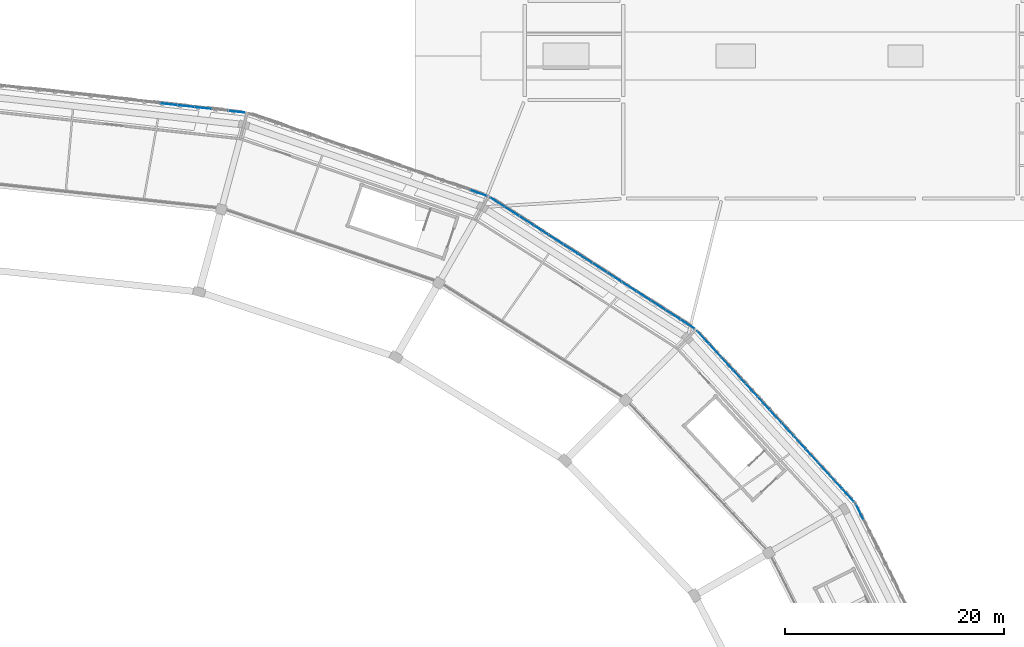
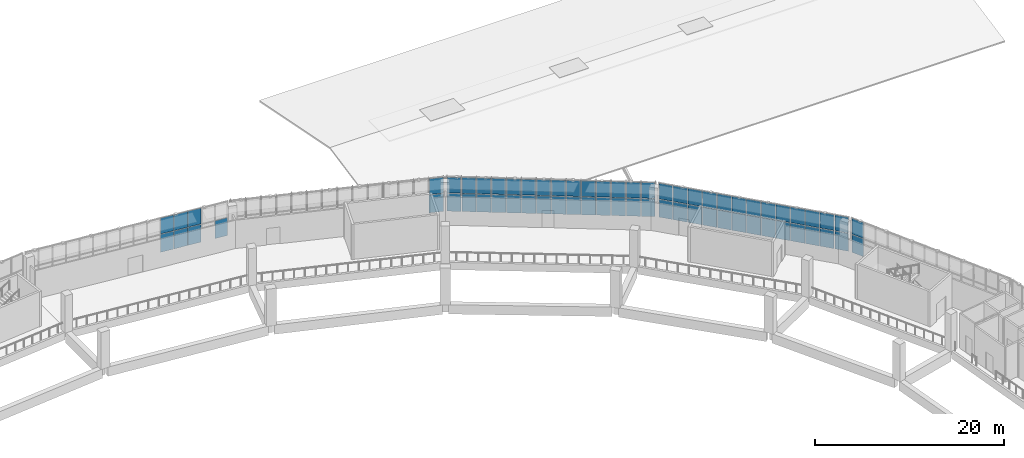
# One storey, part 64 of 108: 65 plates, 5 elements without a shape of their own.
"""IFC4 building model written with IfcOpenShell, lengths in metres."""

from ifc_helpers import new_model, si_unit, direction, frame, origin, origin_2d, place, context, subcontext, project, spatial, rectangle, extrude, material, layer, layer_set, type_object, element, aggregate, save


model = new_model("IFC4")

# Units and contexts
model_context = context("Model", 3, precision=1e-05, world=origin(), true_north=direction((0.0, 1.0)))
body_context = subcontext(model_context, "Body", "Model", "MODEL_VIEW")
ifc_project = project(units=[si_unit("LENGTHUNIT", "METRE"), si_unit("AREAUNIT", "SQUARE_METRE"), si_unit("VOLUMEUNIT", "CUBIC_METRE"), si_unit("PLANEANGLEUNIT", "RADIAN"), si_unit("MASSUNIT", "GRAM", prefix="KILO")], contexts=[model_context])

# Site, building, storey
site_placement = place(None, origin())
site = spatial("IfcSite", under=ifc_project, at=site_placement, CompositionType="ELEMENT")
building_placement = place(site_placement, origin())
building = spatial("IfcBuilding", under=site, at=building_placement, Name="Zevraka Park Crest Stadium", CompositionType="ELEMENT")
storey_placement = place(building_placement, frame((0.0, 0.0, 19.800048828125)))
storey = spatial("IfcBuildingStorey", under=building, at=storey_placement, Name="L04", CompositionType="ELEMENT", Elevation=19.800048828125)

# Curtain wall, plates
ifc_material_1 = material(Name="Anodised architectural aluminium and laminated safety glass", Category="aluminium")
curtain_wall_type_1 = type_object("IfcCurtainWallType", Name="CW16", PredefinedType="NOTDEFINED", material=ifc_material_1)
curtain_wall_1_placement = place(storey_placement, origin())
curtain_wall_1 = element("IfcCurtainWall", 1, at=curtain_wall_1_placement, inside=storey, type_object=curtain_wall_type_1, Name="Unitised Ring Curtain Wall CW16 L04-05", PredefinedType="NOTDEFINED")
ifc_material_2 = material(Name="Solar-control laminated double glazing", Category="glass")
ifc_layer_1 = layer(ifc_material_2, 0.031982421875)
ifc_layer_set_1 = layer_set([ifc_layer_1], Name="Solar-control laminated double glazing")
plate_type_1 = type_object("IfcPlateType", Name="CP16", PredefinedType="CURTAIN_PANEL", material=ifc_layer_set_1)
plate_1_placement = place(storey_placement, frame((134.739013671875, 165.91650390625, 0.059814453125), z_axis=(0.0, 0.0, 1.0), x_axis=(-0.993997152844, 0.109405941967, 0.0)))
plate_1 = element("IfcPlate", 2, at=plate_1_placement, type_object=plate_type_1, Name="CW16 panel 1.1", PredefinedType="CURTAIN_PANEL", context=body_context, shape_type="SweptSolid", body=[
    extrude(rectangle(XDim=1.479736328125, YDim=0.031982421875, at=origin_2d()), origin(), (0.0, 0.0, 1.0), 2.31005859375),
])
plate_2_placement = place(storey_placement, frame((131.63330078125, 166.25830078125, 0.059814453125), z_axis=(0.0, 0.0, 1.0), x_axis=(-0.993997152844, 0.109405941967, 0.0)))
plate_2 = element("IfcPlate", 3, at=plate_2_placement, type_object=plate_type_1, Name="CW16 panel 3.1", PredefinedType="CURTAIN_PANEL", context=body_context, shape_type="SweptSolid", body=[
    extrude(rectangle(XDim=1.509765625, YDim=0.031982421875, at=origin_2d()), origin(), (0.0, 0.0, 1.0), 2.31005859375),
])
plate_3_placement = place(storey_placement, frame((131.63330078125, 166.25830078125, 2.4296875), z_axis=(0.0, 0.0, 1.0), x_axis=(-0.993997152844, 0.109405941967, 0.0)))
plate_3 = element("IfcPlate", 4, at=plate_3_placement, type_object=plate_type_1, Name="CW16 panel 3.2", PredefinedType="CURTAIN_PANEL", context=body_context, shape_type="SweptSolid", body=[
    extrude(rectangle(XDim=1.509765625, YDim=0.031982421875, at=origin_2d()), origin(), (0.0, 0.0, 1.0), 2.050048828125),
])
plate_4_placement = place(storey_placement, frame((130.072998046875, 166.43017578125, 0.059814453125), z_axis=(0.0, 0.0, 1.0), x_axis=(-0.993997152844, 0.109405941967, 0.0)))
plate_4 = element("IfcPlate", 5, at=plate_4_placement, type_object=plate_type_1, Name="CW16 panel 4.1", PredefinedType="CURTAIN_PANEL", context=body_context, shape_type="SweptSolid", body=[
    extrude(rectangle(XDim=1.509765625, YDim=0.031982421875, at=origin_2d()), origin(), (0.0, 0.0, 1.0), 2.31005859375),
])
plate_5_placement = place(storey_placement, frame((130.072998046875, 166.43017578125, 2.4296875), z_axis=(0.0, 0.0, 1.0), x_axis=(-0.993997152844, 0.109405941967, 0.0)))
plate_5 = element("IfcPlate", 6, at=plate_5_placement, type_object=plate_type_1, Name="CW16 panel 4.2", PredefinedType="CURTAIN_PANEL", context=body_context, shape_type="SweptSolid", body=[
    extrude(rectangle(XDim=1.509765625, YDim=0.031982421875, at=origin_2d()), origin(), (0.0, 0.0, 1.0), 2.050048828125),
])
plate_6_placement = place(storey_placement, frame((128.5126953125, 166.601806640625, 0.059814453125), z_axis=(0.0, 0.0, 1.0), x_axis=(-0.993997152844, 0.109405941967, 0.0)))
plate_6 = element("IfcPlate", 7, at=plate_6_placement, type_object=plate_type_1, Name="CW16 panel 5.1", PredefinedType="CURTAIN_PANEL", context=body_context, shape_type="SweptSolid", body=[
    extrude(rectangle(XDim=1.509765625, YDim=0.031982421875, at=origin_2d()), origin(), (0.0, 0.0, 1.0), 2.31005859375),
])
plate_7_placement = place(storey_placement, frame((128.5126953125, 166.601806640625, 2.4296875), z_axis=(0.0, 0.0, 1.0), x_axis=(-0.993997152844, 0.109405941967, 0.0)))
plate_7 = element("IfcPlate", 8, at=plate_7_placement, type_object=plate_type_1, Name="CW16 panel 5.2", PredefinedType="CURTAIN_PANEL", context=body_context, shape_type="SweptSolid", body=[
    extrude(rectangle(XDim=1.509765625, YDim=0.031982421875, at=origin_2d()), origin(), (0.0, 0.0, 1.0), 2.050048828125),
])
aggregate(curtain_wall_1, [plate_1, plate_2, plate_3, plate_4, plate_5, plate_6, plate_7])

ifc_material_3 = material(Name="Anodised architectural aluminium and laminated safety glass", Category="aluminium")
curtain_wall_type_2 = type_object("IfcCurtainWallType", Name="CW17", PredefinedType="NOTDEFINED", material=ifc_material_3)
curtain_wall_2_placement = place(storey_placement, origin())
curtain_wall_2 = element("IfcCurtainWall", 9, at=curtain_wall_2_placement, inside=storey, type_object=curtain_wall_type_2, Name="Unitised Ring Curtain Wall CW17 L04-01", PredefinedType="NOTDEFINED")
ifc_material_4 = material(Name="Solar-control laminated double glazing", Category="glass")
ifc_layer_2 = layer(ifc_material_4, 0.031982421875)
ifc_layer_set_2 = layer_set([ifc_layer_2], Name="Solar-control laminated double glazing")
plate_type_2 = type_object("IfcPlateType", Name="CP17", PredefinedType="CURTAIN_PANEL", material=ifc_layer_set_2)
plate_8_placement = place(storey_placement, frame((191.5849609375, 129.37451171875, 0.06494140625), z_axis=(0.0, 0.0, 1.0), x_axis=(-0.443961067545, 0.896046076106, 0.0)))
plate_8 = element("IfcPlate", 10, at=plate_8_placement, type_object=plate_type_2, Name="CW17 panel 13.1", PredefinedType="CURTAIN_PANEL", context=body_context, shape_type="SweptSolid", body=[
    extrude(rectangle(XDim=1.46484375, YDim=0.031982421875, at=origin_2d()), origin(), (0.0, 0.0, 1.0), 2.302490234375),
])
plate_9_placement = place(storey_placement, frame((191.5849609375, 129.37451171875, 2.432373046875), z_axis=(0.0, 0.0, 1.0), x_axis=(-0.443961067545, 0.896046076106, 0.0)))
plate_9 = element("IfcPlate", 11, at=plate_9_placement, type_object=plate_type_2, Name="CW17 panel 13.2", PredefinedType="CURTAIN_PANEL", context=body_context, shape_type="SweptSolid", body=[
    extrude(rectangle(XDim=1.46484375, YDim=0.031982421875, at=origin_2d()), origin(), (0.0, 0.0, 1.0), 2.04248046875),
])
aggregate(curtain_wall_2, [plate_8, plate_9])

curtain_wall_3_placement = place(storey_placement, origin())
curtain_wall_3 = element("IfcCurtainWall", 12, at=curtain_wall_3_placement, inside=storey, type_object=curtain_wall_type_2, Name="Unitised Ring Curtain Wall CW17 L04-04", PredefinedType="NOTDEFINED")
plate_10_placement = place(storey_placement, frame((156.7978515625, 158.49609375, 0.06494140625), z_axis=(0.0, 0.0, 1.0), x_axis=(-0.944939691816, 0.327244524523, 0.0)))
plate_10 = element("IfcPlate", 13, at=plate_10_placement, type_object=plate_type_2, Name="CW17 panel 1.1", PredefinedType="CURTAIN_PANEL", context=body_context, shape_type="SweptSolid", body=[
    extrude(rectangle(XDim=1.55078125, YDim=0.031982421875, at=origin_2d()), origin(), (0.0, 0.0, 1.0), 2.302490234375),
])
plate_11_placement = place(storey_placement, frame((156.7978515625, 158.49609375, 2.432373046875), z_axis=(0.0, 0.0, 1.0), x_axis=(-0.944939691816, 0.327244524523, 0.0)))
plate_11 = element("IfcPlate", 14, at=plate_11_placement, type_object=plate_type_2, Name="CW17 panel 1.2", PredefinedType="CURTAIN_PANEL", context=body_context, shape_type="SweptSolid", body=[
    extrude(rectangle(XDim=1.55078125, YDim=0.031982421875, at=origin_2d()), origin(), (0.0, 0.0, 1.0), 2.04248046875),
])
aggregate(curtain_wall_3, [plate_10, plate_11])

ifc_material_5 = material(Name="Anodised architectural aluminium and laminated safety glass", Category="aluminium")
curtain_wall_type_3 = type_object("IfcCurtainWallType", Name="CW18", PredefinedType="NOTDEFINED", material=ifc_material_5)
curtain_wall_4_placement = place(storey_placement, origin())
curtain_wall_4 = element("IfcCurtainWall", 15, at=curtain_wall_4_placement, inside=storey, type_object=curtain_wall_type_3, Name="Unitised Ring Curtain Wall CW18 L04-02", PredefinedType="NOTDEFINED")
ifc_material_6 = material(Name="Solar-control laminated double glazing", Category="glass")
ifc_layer_3 = layer(ifc_material_6, 0.031982421875)
ifc_layer_set_3 = layer_set([ifc_layer_3], Name="Solar-control laminated double glazing")
plate_type_3 = type_object("IfcPlateType", Name="CP18", PredefinedType="CURTAIN_PANEL", material=ifc_layer_set_3)
plate_12_placement = place(storey_placement, frame((190.523193359375, 130.913330078125, 0.070068359375), z_axis=(0.0, 0.0, 1.0), x_axis=(-0.676138417355, 0.736774619932, 0.0)))
plate_12 = element("IfcPlate", 16, at=plate_12_placement, type_object=plate_type_3, Name="CW18 panel 1.1", PredefinedType="CURTAIN_PANEL", context=body_context, shape_type="SweptSolid", body=[
    extrude(rectangle(XDim=1.527587890625, YDim=0.031982421875, at=origin_2d()), origin(), (0.0, 0.0, 1.0), 2.294921875),
])
plate_13_placement = place(storey_placement, frame((190.523193359375, 130.913330078125, 2.43505859375), z_axis=(0.0, 0.0, 1.0), x_axis=(-0.676138417355, 0.736774619932, 0.0)))
plate_13 = element("IfcPlate", 17, at=plate_13_placement, type_object=plate_type_3, Name="CW18 panel 1.2", PredefinedType="CURTAIN_PANEL", context=body_context, shape_type="SweptSolid", body=[
    extrude(rectangle(XDim=1.527587890625, YDim=0.031982421875, at=origin_2d()), origin(), (0.0, 0.0, 1.0), 2.034912109375),
])
plate_14_placement = place(storey_placement, frame((189.43115234375, 132.103271484375, 0.070068359375), z_axis=(0.0, 0.0, 1.0), x_axis=(-0.676138417355, 0.736774619932, 0.0)))
plate_14 = element("IfcPlate", 18, at=plate_14_placement, type_object=plate_type_3, Name="CW18 panel 2.1", PredefinedType="CURTAIN_PANEL", context=body_context, shape_type="SweptSolid", body=[
    extrude(rectangle(XDim=1.562744140625, YDim=0.031982421875, at=origin_2d()), origin(), (0.0, 0.0, 1.0), 2.294921875),
])
plate_15_placement = place(storey_placement, frame((189.43115234375, 132.103271484375, 2.43505859375), z_axis=(0.0, 0.0, 1.0), x_axis=(-0.676138417355, 0.736774619932, 0.0)))
plate_15 = element("IfcPlate", 19, at=plate_15_placement, type_object=plate_type_3, Name="CW18 panel 2.2", PredefinedType="CURTAIN_PANEL", context=body_context, shape_type="SweptSolid", body=[
    extrude(rectangle(XDim=1.562744140625, YDim=0.031982421875, at=origin_2d()), origin(), (0.0, 0.0, 1.0), 2.034912109375),
])
plate_16_placement = place(storey_placement, frame((188.3271484375, 133.306396484375, 0.070068359375), z_axis=(0.0, 0.0, 1.0), x_axis=(-0.676138417355, 0.736774619932, 0.0)))
plate_16 = element("IfcPlate", 20, at=plate_16_placement, type_object=plate_type_3, Name="CW18 panel 3.1", PredefinedType="CURTAIN_PANEL", context=body_context, shape_type="SweptSolid", body=[
    extrude(rectangle(XDim=1.562744140625, YDim=0.031982421875, at=origin_2d()), origin(), (0.0, 0.0, 1.0), 2.294921875),
])
plate_17_placement = place(storey_placement, frame((188.3271484375, 133.306396484375, 2.43505859375), z_axis=(0.0, 0.0, 1.0), x_axis=(-0.676138417355, 0.736774619932, 0.0)))
plate_17 = element("IfcPlate", 21, at=plate_17_placement, type_object=plate_type_3, Name="CW18 panel 3.2", PredefinedType="CURTAIN_PANEL", context=body_context, shape_type="SweptSolid", body=[
    extrude(rectangle(XDim=1.562744140625, YDim=0.031982421875, at=origin_2d()), origin(), (0.0, 0.0, 1.0), 2.034912109375),
])
plate_18_placement = place(storey_placement, frame((187.223388671875, 134.50927734375, 0.070068359375), z_axis=(0.0, 0.0, 1.0), x_axis=(-0.676138417355, 0.736774619932, 0.0)))
plate_18 = element("IfcPlate", 22, at=plate_18_placement, type_object=plate_type_3, Name="CW18 panel 4.1", PredefinedType="CURTAIN_PANEL", context=body_context, shape_type="SweptSolid", body=[
    extrude(rectangle(XDim=1.562744140625, YDim=0.031982421875, at=origin_2d()), origin(), (0.0, 0.0, 1.0), 2.294921875),
])
plate_19_placement = place(storey_placement, frame((187.223388671875, 134.50927734375, 2.43505859375), z_axis=(0.0, 0.0, 1.0), x_axis=(-0.676138417355, 0.736774619932, 0.0)))
plate_19 = element("IfcPlate", 23, at=plate_19_placement, type_object=plate_type_3, Name="CW18 panel 4.2", PredefinedType="CURTAIN_PANEL", context=body_context, shape_type="SweptSolid", body=[
    extrude(rectangle(XDim=1.562744140625, YDim=0.031982421875, at=origin_2d()), origin(), (0.0, 0.0, 1.0), 2.034912109375),
])
plate_20_placement = place(storey_placement, frame((186.119384765625, 135.712158203125, 0.070068359375), z_axis=(0.0, 0.0, 1.0), x_axis=(-0.676138417355, 0.736774619932, 0.0)))
plate_20 = element("IfcPlate", 24, at=plate_20_placement, type_object=plate_type_3, Name="CW18 panel 5.1", PredefinedType="CURTAIN_PANEL", context=body_context, shape_type="SweptSolid", body=[
    extrude(rectangle(XDim=1.562744140625, YDim=0.031982421875, at=origin_2d()), origin(), (0.0, 0.0, 1.0), 2.294921875),
])
plate_21_placement = place(storey_placement, frame((186.119384765625, 135.712158203125, 2.43505859375), z_axis=(0.0, 0.0, 1.0), x_axis=(-0.676138417355, 0.736774619932, 0.0)))
plate_21 = element("IfcPlate", 25, at=plate_21_placement, type_object=plate_type_3, Name="CW18 panel 5.2", PredefinedType="CURTAIN_PANEL", context=body_context, shape_type="SweptSolid", body=[
    extrude(rectangle(XDim=1.562744140625, YDim=0.031982421875, at=origin_2d()), origin(), (0.0, 0.0, 1.0), 2.034912109375),
])
plate_22_placement = place(storey_placement, frame((185.015380859375, 136.9150390625, 0.070068359375), z_axis=(0.0, 0.0, 1.0), x_axis=(-0.676138417355, 0.736774619932, 0.0)))
plate_22 = element("IfcPlate", 26, at=plate_22_placement, type_object=plate_type_3, Name="CW18 panel 6.1", PredefinedType="CURTAIN_PANEL", context=body_context, shape_type="SweptSolid", body=[
    extrude(rectangle(XDim=1.562744140625, YDim=0.031982421875, at=origin_2d()), origin(), (0.0, 0.0, 1.0), 2.294921875),
])
plate_23_placement = place(storey_placement, frame((185.015380859375, 136.9150390625, 2.43505859375), z_axis=(0.0, 0.0, 1.0), x_axis=(-0.676138417355, 0.736774619932, 0.0)))
plate_23 = element("IfcPlate", 27, at=plate_23_placement, type_object=plate_type_3, Name="CW18 panel 6.2", PredefinedType="CURTAIN_PANEL", context=body_context, shape_type="SweptSolid", body=[
    extrude(rectangle(XDim=1.562744140625, YDim=0.031982421875, at=origin_2d()), origin(), (0.0, 0.0, 1.0), 2.034912109375),
])
plate_24_placement = place(storey_placement, frame((183.91162109375, 138.117919921875, 0.070068359375), z_axis=(0.0, 0.0, 1.0), x_axis=(-0.676138417355, 0.736774619932, 0.0)))
plate_24 = element("IfcPlate", 28, at=plate_24_placement, type_object=plate_type_3, Name="CW18 panel 7.1", PredefinedType="CURTAIN_PANEL", context=body_context, shape_type="SweptSolid", body=[
    extrude(rectangle(XDim=1.562744140625, YDim=0.031982421875, at=origin_2d()), origin(), (0.0, 0.0, 1.0), 2.294921875),
])
plate_25_placement = place(storey_placement, frame((183.91162109375, 138.117919921875, 2.43505859375), z_axis=(0.0, 0.0, 1.0), x_axis=(-0.676138417355, 0.736774619932, 0.0)))
plate_25 = element("IfcPlate", 29, at=plate_25_placement, type_object=plate_type_3, Name="CW18 panel 7.2", PredefinedType="CURTAIN_PANEL", context=body_context, shape_type="SweptSolid", body=[
    extrude(rectangle(XDim=1.562744140625, YDim=0.031982421875, at=origin_2d()), origin(), (0.0, 0.0, 1.0), 2.034912109375),
])
plate_26_placement = place(storey_placement, frame((182.8076171875, 139.321044921875, 0.070068359375), z_axis=(0.0, 0.0, 1.0), x_axis=(-0.676138417355, 0.736774619932, 0.0)))
plate_26 = element("IfcPlate", 30, at=plate_26_placement, type_object=plate_type_3, Name="CW18 panel 8.1", PredefinedType="CURTAIN_PANEL", context=body_context, shape_type="SweptSolid", body=[
    extrude(rectangle(XDim=1.562744140625, YDim=0.031982421875, at=origin_2d()), origin(), (0.0, 0.0, 1.0), 2.294921875),
])
plate_27_placement = place(storey_placement, frame((182.8076171875, 139.321044921875, 2.43505859375), z_axis=(0.0, 0.0, 1.0), x_axis=(-0.676138417355, 0.736774619932, 0.0)))
plate_27 = element("IfcPlate", 31, at=plate_27_placement, type_object=plate_type_3, Name="CW18 panel 8.2", PredefinedType="CURTAIN_PANEL", context=body_context, shape_type="SweptSolid", body=[
    extrude(rectangle(XDim=1.562744140625, YDim=0.031982421875, at=origin_2d()), origin(), (0.0, 0.0, 1.0), 2.034912109375),
])
plate_28_placement = place(storey_placement, frame((181.70361328125, 140.52392578125, 0.070068359375), z_axis=(0.0, 0.0, 1.0), x_axis=(-0.676138417355, 0.736774619932, 0.0)))
plate_28 = element("IfcPlate", 32, at=plate_28_placement, type_object=plate_type_3, Name="CW18 panel 9.1", PredefinedType="CURTAIN_PANEL", context=body_context, shape_type="SweptSolid", body=[
    extrude(rectangle(XDim=1.562744140625, YDim=0.031982421875, at=origin_2d()), origin(), (0.0, 0.0, 1.0), 2.294921875),
])
plate_29_placement = place(storey_placement, frame((181.70361328125, 140.52392578125, 2.43505859375), z_axis=(0.0, 0.0, 1.0), x_axis=(-0.676138417355, 0.736774619932, 0.0)))
plate_29 = element("IfcPlate", 33, at=plate_29_placement, type_object=plate_type_3, Name="CW18 panel 9.2", PredefinedType="CURTAIN_PANEL", context=body_context, shape_type="SweptSolid", body=[
    extrude(rectangle(XDim=1.562744140625, YDim=0.031982421875, at=origin_2d()), origin(), (0.0, 0.0, 1.0), 2.034912109375),
])
plate_30_placement = place(storey_placement, frame((180.599609375, 141.726806640625, 0.070068359375), z_axis=(0.0, 0.0, 1.0), x_axis=(-0.676138417355, 0.736774619932, 0.0)))
plate_30 = element("IfcPlate", 34, at=plate_30_placement, type_object=plate_type_3, Name="CW18 panel 10.1", PredefinedType="CURTAIN_PANEL", context=body_context, shape_type="SweptSolid", body=[
    extrude(rectangle(XDim=1.562744140625, YDim=0.031982421875, at=origin_2d()), origin(), (0.0, 0.0, 1.0), 2.294921875),
])
plate_31_placement = place(storey_placement, frame((180.599609375, 141.726806640625, 2.43505859375), z_axis=(0.0, 0.0, 1.0), x_axis=(-0.676138417355, 0.736774619932, 0.0)))
plate_31 = element("IfcPlate", 35, at=plate_31_placement, type_object=plate_type_3, Name="CW18 panel 10.2", PredefinedType="CURTAIN_PANEL", context=body_context, shape_type="SweptSolid", body=[
    extrude(rectangle(XDim=1.562744140625, YDim=0.031982421875, at=origin_2d()), origin(), (0.0, 0.0, 1.0), 2.034912109375),
])
plate_32_placement = place(storey_placement, frame((179.495849609375, 142.9296875, 0.070068359375), z_axis=(0.0, 0.0, 1.0), x_axis=(-0.676138417355, 0.736774619932, 0.0)))
plate_32 = element("IfcPlate", 36, at=plate_32_placement, type_object=plate_type_3, Name="CW18 panel 11.1", PredefinedType="CURTAIN_PANEL", context=body_context, shape_type="SweptSolid", body=[
    extrude(rectangle(XDim=1.562744140625, YDim=0.031982421875, at=origin_2d()), origin(), (0.0, 0.0, 1.0), 2.294921875),
])
plate_33_placement = place(storey_placement, frame((179.495849609375, 142.9296875, 2.43505859375), z_axis=(0.0, 0.0, 1.0), x_axis=(-0.676138417355, 0.736774619932, 0.0)))
plate_33 = element("IfcPlate", 37, at=plate_33_placement, type_object=plate_type_3, Name="CW18 panel 11.2", PredefinedType="CURTAIN_PANEL", context=body_context, shape_type="SweptSolid", body=[
    extrude(rectangle(XDim=1.562744140625, YDim=0.031982421875, at=origin_2d()), origin(), (0.0, 0.0, 1.0), 2.034912109375),
])
plate_34_placement = place(storey_placement, frame((178.391845703125, 144.132568359375, 0.070068359375), z_axis=(0.0, 0.0, 1.0), x_axis=(-0.676138417355, 0.736774619932, 0.0)))
plate_34 = element("IfcPlate", 38, at=plate_34_placement, type_object=plate_type_3, Name="CW18 panel 12.1", PredefinedType="CURTAIN_PANEL", context=body_context, shape_type="SweptSolid", body=[
    extrude(rectangle(XDim=1.562744140625, YDim=0.031982421875, at=origin_2d()), origin(), (0.0, 0.0, 1.0), 2.294921875),
])
plate_35_placement = place(storey_placement, frame((178.391845703125, 144.132568359375, 2.43505859375), z_axis=(0.0, 0.0, 1.0), x_axis=(-0.676138417355, 0.736774619932, 0.0)))
plate_35 = element("IfcPlate", 39, at=plate_35_placement, type_object=plate_type_3, Name="CW18 panel 12.2", PredefinedType="CURTAIN_PANEL", context=body_context, shape_type="SweptSolid", body=[
    extrude(rectangle(XDim=1.562744140625, YDim=0.031982421875, at=origin_2d()), origin(), (0.0, 0.0, 1.0), 2.034912109375),
])
plate_36_placement = place(storey_placement, frame((177.2998046875, 145.32275390625, 0.070068359375), z_axis=(0.0, 0.0, 1.0), x_axis=(-0.676138417355, 0.736774619932, 0.0)))
plate_36 = element("IfcPlate", 40, at=plate_36_placement, type_object=plate_type_3, Name="CW18 panel 13.1", PredefinedType="CURTAIN_PANEL", context=body_context, shape_type="SweptSolid", body=[
    extrude(rectangle(XDim=1.527587890625, YDim=0.031982421875, at=origin_2d()), origin(), (0.0, 0.0, 1.0), 2.294921875),
])
plate_37_placement = place(storey_placement, frame((177.2998046875, 145.32275390625, 2.43505859375), z_axis=(0.0, 0.0, 1.0), x_axis=(-0.676138417355, 0.736774619932, 0.0)))
plate_37 = element("IfcPlate", 41, at=plate_37_placement, type_object=plate_type_3, Name="CW18 panel 13.2", PredefinedType="CURTAIN_PANEL", context=body_context, shape_type="SweptSolid", body=[
    extrude(rectangle(XDim=1.527587890625, YDim=0.031982421875, at=origin_2d()), origin(), (0.0, 0.0, 1.0), 2.034912109375),
])
aggregate(curtain_wall_4, [plate_12, plate_13, plate_14, plate_15, plate_16, plate_17, plate_18, plate_19, plate_20, plate_21, plate_22, plate_23, plate_24, plate_25, plate_26, plate_27, plate_28, plate_29, plate_30, plate_31, plate_32, plate_33, plate_34, plate_35, plate_36, plate_37])

curtain_wall_5_placement = place(storey_placement, origin())
curtain_wall_5 = element("IfcCurtainWall", 42, at=curtain_wall_5_placement, inside=storey, type_object=curtain_wall_type_3, Name="Unitised Ring Curtain Wall CW18 L04-03", PredefinedType="NOTDEFINED")
plate_38_placement = place(storey_placement, frame((175.85595703125, 146.540283203125, 0.070068359375), z_axis=(0.0, 0.0, 1.0), x_axis=(-0.841677883781, 0.539979944029, 0.0)))
plate_38 = element("IfcPlate", 43, at=plate_38_placement, type_object=plate_type_3, Name="CW18 panel 1.1", PredefinedType="CURTAIN_PANEL", context=body_context, shape_type="SweptSolid", body=[
    extrude(rectangle(XDim=1.483154296875, YDim=0.031982421875, at=origin_2d()), origin(), (0.0, 0.0, 1.0), 2.294921875),
])
plate_39_placement = place(storey_placement, frame((175.85595703125, 146.540283203125, 2.43505859375), z_axis=(0.0, 0.0, 1.0), x_axis=(-0.841677883781, 0.539979944029, 0.0)))
plate_39 = element("IfcPlate", 44, at=plate_39_placement, type_object=plate_type_3, Name="CW18 panel 1.2", PredefinedType="CURTAIN_PANEL", context=body_context, shape_type="SweptSolid", body=[
    extrude(rectangle(XDim=1.483154296875, YDim=0.031982421875, at=origin_2d()), origin(), (0.0, 0.0, 1.0), 2.034912109375),
])
plate_40_placement = place(storey_placement, frame((174.533935546875, 147.388427734375, 0.070068359375), z_axis=(0.0, 0.0, 1.0), x_axis=(-0.841677883781, 0.539979944029, 0.0)))
plate_40 = element("IfcPlate", 45, at=plate_40_placement, type_object=plate_type_3, Name="CW18 panel 2.1", PredefinedType="CURTAIN_PANEL", context=body_context, shape_type="SweptSolid", body=[
    extrude(rectangle(XDim=1.51806640625, YDim=0.031982421875, at=origin_2d()), origin(), (0.0, 0.0, 1.0), 2.294921875),
])
plate_41_placement = place(storey_placement, frame((174.533935546875, 147.388427734375, 2.43505859375), z_axis=(0.0, 0.0, 1.0), x_axis=(-0.841677883781, 0.539979944029, 0.0)))
plate_41 = element("IfcPlate", 46, at=plate_41_placement, type_object=plate_type_3, Name="CW18 panel 2.2", PredefinedType="CURTAIN_PANEL", context=body_context, shape_type="SweptSolid", body=[
    extrude(rectangle(XDim=1.51806640625, YDim=0.031982421875, at=origin_2d()), origin(), (0.0, 0.0, 1.0), 2.034912109375),
])
plate_42_placement = place(storey_placement, frame((173.197265625, 148.245849609375, 0.070068359375), z_axis=(0.0, 0.0, 1.0), x_axis=(-0.841677883781, 0.539979944029, 0.0)))
plate_42 = element("IfcPlate", 47, at=plate_42_placement, type_object=plate_type_3, Name="CW18 panel 3.1", PredefinedType="CURTAIN_PANEL", context=body_context, shape_type="SweptSolid", body=[
    extrude(rectangle(XDim=1.51806640625, YDim=0.031982421875, at=origin_2d()), origin(), (0.0, 0.0, 1.0), 2.294921875),
])
plate_43_placement = place(storey_placement, frame((173.197265625, 148.245849609375, 2.43505859375), z_axis=(0.0, 0.0, 1.0), x_axis=(-0.841677883781, 0.539979944029, 0.0)))
plate_43 = element("IfcPlate", 48, at=plate_43_placement, type_object=plate_type_3, Name="CW18 panel 3.2", PredefinedType="CURTAIN_PANEL", context=body_context, shape_type="SweptSolid", body=[
    extrude(rectangle(XDim=1.51806640625, YDim=0.031982421875, at=origin_2d()), origin(), (0.0, 0.0, 1.0), 2.034912109375),
])
plate_44_placement = place(storey_placement, frame((171.860595703125, 149.103515625, 0.070068359375), z_axis=(0.0, 0.0, 1.0), x_axis=(-0.841677883781, 0.539979944029, 0.0)))
plate_44 = element("IfcPlate", 49, at=plate_44_placement, type_object=plate_type_3, Name="CW18 panel 4.1", PredefinedType="CURTAIN_PANEL", context=body_context, shape_type="SweptSolid", body=[
    extrude(rectangle(XDim=1.51806640625, YDim=0.031982421875, at=origin_2d()), origin(), (0.0, 0.0, 1.0), 2.294921875),
])
plate_45_placement = place(storey_placement, frame((171.860595703125, 149.103515625, 2.43505859375), z_axis=(0.0, 0.0, 1.0), x_axis=(-0.841677883781, 0.539979944029, 0.0)))
plate_45 = element("IfcPlate", 50, at=plate_45_placement, type_object=plate_type_3, Name="CW18 panel 4.2", PredefinedType="CURTAIN_PANEL", context=body_context, shape_type="SweptSolid", body=[
    extrude(rectangle(XDim=1.51806640625, YDim=0.031982421875, at=origin_2d()), origin(), (0.0, 0.0, 1.0), 2.034912109375),
])
plate_46_placement = place(storey_placement, frame((170.523681640625, 149.961181640625, 0.070068359375), z_axis=(0.0, 0.0, 1.0), x_axis=(-0.841677883781, 0.539979944029, 0.0)))
plate_46 = element("IfcPlate", 51, at=plate_46_placement, type_object=plate_type_3, Name="CW18 panel 5.1", PredefinedType="CURTAIN_PANEL", context=body_context, shape_type="SweptSolid", body=[
    extrude(rectangle(XDim=1.51806640625, YDim=0.031982421875, at=origin_2d()), origin(), (0.0, 0.0, 1.0), 2.294921875),
])
plate_47_placement = place(storey_placement, frame((170.523681640625, 149.961181640625, 2.43505859375), z_axis=(0.0, 0.0, 1.0), x_axis=(-0.841677883781, 0.539979944029, 0.0)))
plate_47 = element("IfcPlate", 52, at=plate_47_placement, type_object=plate_type_3, Name="CW18 panel 5.2", PredefinedType="CURTAIN_PANEL", context=body_context, shape_type="SweptSolid", body=[
    extrude(rectangle(XDim=1.51806640625, YDim=0.031982421875, at=origin_2d()), origin(), (0.0, 0.0, 1.0), 2.034912109375),
])
plate_48_placement = place(storey_placement, frame((169.18701171875, 150.818603515625, 0.070068359375), z_axis=(0.0, 0.0, 1.0), x_axis=(-0.841677883781, 0.539979944029, 0.0)))
plate_48 = element("IfcPlate", 53, at=plate_48_placement, type_object=plate_type_3, Name="CW18 panel 6.1", PredefinedType="CURTAIN_PANEL", context=body_context, shape_type="SweptSolid", body=[
    extrude(rectangle(XDim=1.51806640625, YDim=0.031982421875, at=origin_2d()), origin(), (0.0, 0.0, 1.0), 2.294921875),
])
plate_49_placement = place(storey_placement, frame((169.18701171875, 150.818603515625, 2.43505859375), z_axis=(0.0, 0.0, 1.0), x_axis=(-0.841677883781, 0.539979944029, 0.0)))
plate_49 = element("IfcPlate", 54, at=plate_49_placement, type_object=plate_type_3, Name="CW18 panel 6.2", PredefinedType="CURTAIN_PANEL", context=body_context, shape_type="SweptSolid", body=[
    extrude(rectangle(XDim=1.51806640625, YDim=0.031982421875, at=origin_2d()), origin(), (0.0, 0.0, 1.0), 2.034912109375),
])
plate_50_placement = place(storey_placement, frame((167.850341796875, 151.67626953125, 0.070068359375), z_axis=(0.0, 0.0, 1.0), x_axis=(-0.841677883781, 0.539979944029, 0.0)))
plate_50 = element("IfcPlate", 55, at=plate_50_placement, type_object=plate_type_3, Name="CW18 panel 7.1", PredefinedType="CURTAIN_PANEL", context=body_context, shape_type="SweptSolid", body=[
    extrude(rectangle(XDim=1.51806640625, YDim=0.031982421875, at=origin_2d()), origin(), (0.0, 0.0, 1.0), 2.294921875),
])
plate_51_placement = place(storey_placement, frame((167.850341796875, 151.67626953125, 2.43505859375), z_axis=(0.0, 0.0, 1.0), x_axis=(-0.841677883781, 0.539979944029, 0.0)))
plate_51 = element("IfcPlate", 56, at=plate_51_placement, type_object=plate_type_3, Name="CW18 panel 7.2", PredefinedType="CURTAIN_PANEL", context=body_context, shape_type="SweptSolid", body=[
    extrude(rectangle(XDim=1.51806640625, YDim=0.031982421875, at=origin_2d()), origin(), (0.0, 0.0, 1.0), 2.034912109375),
])
plate_52_placement = place(storey_placement, frame((166.513671875, 152.53369140625, 0.070068359375), z_axis=(0.0, 0.0, 1.0), x_axis=(-0.841677883781, 0.539979944029, 0.0)))
plate_52 = element("IfcPlate", 57, at=plate_52_placement, type_object=plate_type_3, Name="CW18 panel 8.1", PredefinedType="CURTAIN_PANEL", context=body_context, shape_type="SweptSolid", body=[
    extrude(rectangle(XDim=1.51806640625, YDim=0.031982421875, at=origin_2d()), origin(), (0.0, 0.0, 1.0), 2.294921875),
])
plate_53_placement = place(storey_placement, frame((166.513671875, 152.53369140625, 2.43505859375), z_axis=(0.0, 0.0, 1.0), x_axis=(-0.841677883781, 0.539979944029, 0.0)))
plate_53 = element("IfcPlate", 58, at=plate_53_placement, type_object=plate_type_3, Name="CW18 panel 8.2", PredefinedType="CURTAIN_PANEL", context=body_context, shape_type="SweptSolid", body=[
    extrude(rectangle(XDim=1.51806640625, YDim=0.031982421875, at=origin_2d()), origin(), (0.0, 0.0, 1.0), 2.034912109375),
])
plate_54_placement = place(storey_placement, frame((165.177001953125, 153.391357421875, 0.070068359375), z_axis=(0.0, 0.0, 1.0), x_axis=(-0.841677883781, 0.539979944029, 0.0)))
plate_54 = element("IfcPlate", 59, at=plate_54_placement, type_object=plate_type_3, Name="CW18 panel 9.1", PredefinedType="CURTAIN_PANEL", context=body_context, shape_type="SweptSolid", body=[
    extrude(rectangle(XDim=1.51806640625, YDim=0.031982421875, at=origin_2d()), origin(), (0.0, 0.0, 1.0), 2.294921875),
])
plate_55_placement = place(storey_placement, frame((165.177001953125, 153.391357421875, 2.43505859375), z_axis=(0.0, 0.0, 1.0), x_axis=(-0.841677883781, 0.539979944029, 0.0)))
plate_55 = element("IfcPlate", 60, at=plate_55_placement, type_object=plate_type_3, Name="CW18 panel 9.2", PredefinedType="CURTAIN_PANEL", context=body_context, shape_type="SweptSolid", body=[
    extrude(rectangle(XDim=1.51806640625, YDim=0.031982421875, at=origin_2d()), origin(), (0.0, 0.0, 1.0), 2.034912109375),
])
plate_56_placement = place(storey_placement, frame((163.84033203125, 154.2490234375, 0.070068359375), z_axis=(0.0, 0.0, 1.0), x_axis=(-0.841677883781, 0.539979944029, 0.0)))
plate_56 = element("IfcPlate", 61, at=plate_56_placement, type_object=plate_type_3, Name="CW18 panel 10.1", PredefinedType="CURTAIN_PANEL", context=body_context, shape_type="SweptSolid", body=[
    extrude(rectangle(XDim=1.51806640625, YDim=0.031982421875, at=origin_2d()), origin(), (0.0, 0.0, 1.0), 2.294921875),
])
plate_57_placement = place(storey_placement, frame((163.84033203125, 154.2490234375, 2.43505859375), z_axis=(0.0, 0.0, 1.0), x_axis=(-0.841677883781, 0.539979944029, 0.0)))
plate_57 = element("IfcPlate", 62, at=plate_57_placement, type_object=plate_type_3, Name="CW18 panel 10.2", PredefinedType="CURTAIN_PANEL", context=body_context, shape_type="SweptSolid", body=[
    extrude(rectangle(XDim=1.51806640625, YDim=0.031982421875, at=origin_2d()), origin(), (0.0, 0.0, 1.0), 2.034912109375),
])
plate_58_placement = place(storey_placement, frame((162.50341796875, 155.1064453125, 0.070068359375), z_axis=(0.0, 0.0, 1.0), x_axis=(-0.841677883781, 0.539979944029, 0.0)))
plate_58 = element("IfcPlate", 63, at=plate_58_placement, type_object=plate_type_3, Name="CW18 panel 11.1", PredefinedType="CURTAIN_PANEL", context=body_context, shape_type="SweptSolid", body=[
    extrude(rectangle(XDim=1.51806640625, YDim=0.031982421875, at=origin_2d()), origin(), (0.0, 0.0, 1.0), 2.294921875),
])
plate_59_placement = place(storey_placement, frame((162.50341796875, 155.1064453125, 2.43505859375), z_axis=(0.0, 0.0, 1.0), x_axis=(-0.841677883781, 0.539979944029, 0.0)))
plate_59 = element("IfcPlate", 64, at=plate_59_placement, type_object=plate_type_3, Name="CW18 panel 11.2", PredefinedType="CURTAIN_PANEL", context=body_context, shape_type="SweptSolid", body=[
    extrude(rectangle(XDim=1.51806640625, YDim=0.031982421875, at=origin_2d()), origin(), (0.0, 0.0, 1.0), 2.034912109375),
])
plate_60_placement = place(storey_placement, frame((161.166748046875, 155.964111328125, 0.070068359375), z_axis=(0.0, 0.0, 1.0), x_axis=(-0.841677883781, 0.539979944029, 0.0)))
plate_60 = element("IfcPlate", 65, at=plate_60_placement, type_object=plate_type_3, Name="CW18 panel 12.1", PredefinedType="CURTAIN_PANEL", context=body_context, shape_type="SweptSolid", body=[
    extrude(rectangle(XDim=1.51806640625, YDim=0.031982421875, at=origin_2d()), origin(), (0.0, 0.0, 1.0), 2.294921875),
])
plate_61_placement = place(storey_placement, frame((161.166748046875, 155.964111328125, 2.43505859375), z_axis=(0.0, 0.0, 1.0), x_axis=(-0.841677883781, 0.539979944029, 0.0)))
plate_61 = element("IfcPlate", 66, at=plate_61_placement, type_object=plate_type_3, Name="CW18 panel 12.2", PredefinedType="CURTAIN_PANEL", context=body_context, shape_type="SweptSolid", body=[
    extrude(rectangle(XDim=1.51806640625, YDim=0.031982421875, at=origin_2d()), origin(), (0.0, 0.0, 1.0), 2.034912109375),
])
plate_62_placement = place(storey_placement, frame((159.830078125, 156.821533203125, 0.070068359375), z_axis=(0.0, 0.0, 1.0), x_axis=(-0.841677883781, 0.539979944029, 0.0)))
plate_62 = element("IfcPlate", 67, at=plate_62_placement, type_object=plate_type_3, Name="CW18 panel 13.1", PredefinedType="CURTAIN_PANEL", context=body_context, shape_type="SweptSolid", body=[
    extrude(rectangle(XDim=1.51806640625, YDim=0.031982421875, at=origin_2d()), origin(), (0.0, 0.0, 1.0), 2.294921875),
])
plate_63_placement = place(storey_placement, frame((159.830078125, 156.821533203125, 2.43505859375), z_axis=(0.0, 0.0, 1.0), x_axis=(-0.841677883781, 0.539979944029, 0.0)))
plate_63 = element("IfcPlate", 68, at=plate_63_placement, type_object=plate_type_3, Name="CW18 panel 13.2", PredefinedType="CURTAIN_PANEL", context=body_context, shape_type="SweptSolid", body=[
    extrude(rectangle(XDim=1.51806640625, YDim=0.031982421875, at=origin_2d()), origin(), (0.0, 0.0, 1.0), 2.034912109375),
])
plate_64_placement = place(storey_placement, frame((158.508056640625, 157.669677734375, 0.070068359375), z_axis=(0.0, 0.0, 1.0), x_axis=(-0.841677883781, 0.539979944029, 0.0)))
plate_64 = element("IfcPlate", 69, at=plate_64_placement, type_object=plate_type_3, Name="CW18 panel 14.1", PredefinedType="CURTAIN_PANEL", context=body_context, shape_type="SweptSolid", body=[
    extrude(rectangle(XDim=1.483154296875, YDim=0.031982421875, at=origin_2d()), origin(), (0.0, 0.0, 1.0), 2.294921875),
])
plate_65_placement = place(storey_placement, frame((158.508056640625, 157.669677734375, 2.43505859375), z_axis=(0.0, 0.0, 1.0), x_axis=(-0.841677883781, 0.539979944029, 0.0)))
plate_65 = element("IfcPlate", 70, at=plate_65_placement, type_object=plate_type_3, Name="CW18 panel 14.2", PredefinedType="CURTAIN_PANEL", context=body_context, shape_type="SweptSolid", body=[
    extrude(rectangle(XDim=1.483154296875, YDim=0.031982421875, at=origin_2d()), origin(), (0.0, 0.0, 1.0), 2.034912109375),
])
aggregate(curtain_wall_5, [plate_38, plate_39, plate_40, plate_41, plate_42, plate_43, plate_44, plate_45, plate_46, plate_47, plate_48, plate_49, plate_50, plate_51, plate_52, plate_53, plate_54, plate_55, plate_56, plate_57, plate_58, plate_59, plate_60, plate_61, plate_62, plate_63, plate_64, plate_65])

save(model, "model.ifc")
